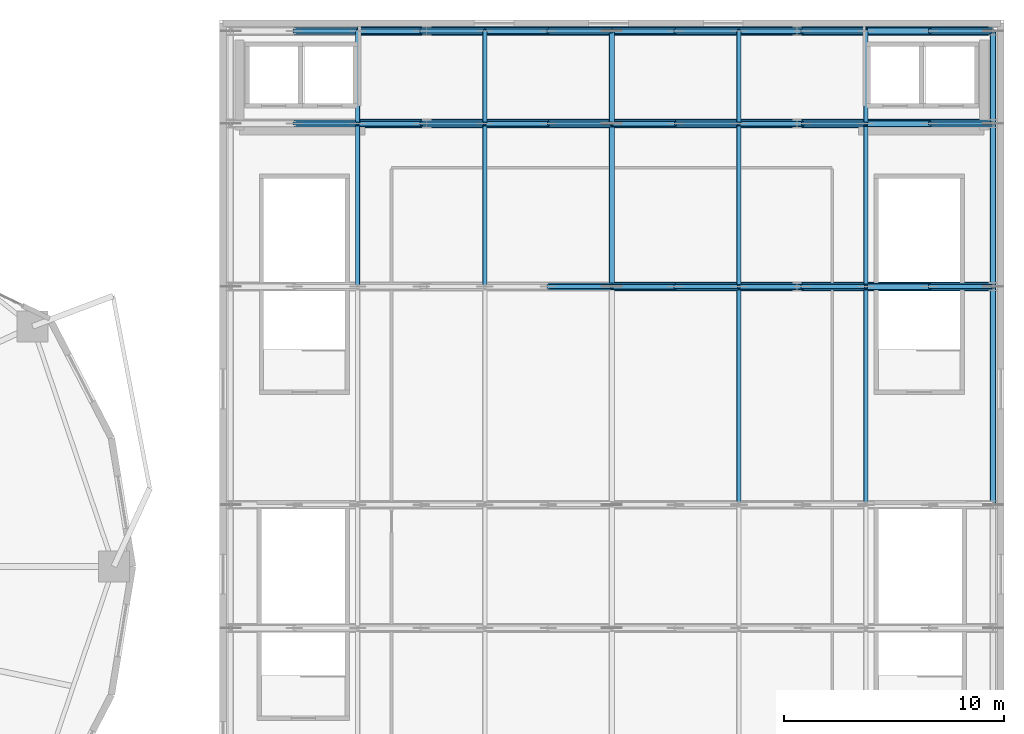
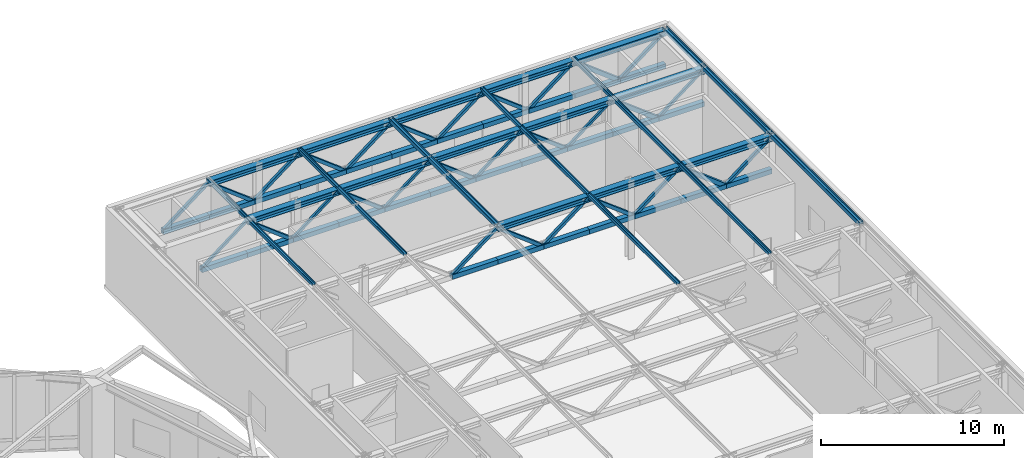
# One storey, part 13 of 29: 86 members.
"""IFC4 building model written with IfcOpenShell, lengths in metres."""

from ifc_helpers import new_model, si_unit, direction, frame, origin, origin_2d, place, context, subcontext, project, spatial, hollow_rectangle, i_section, extrude, material, material_profile, profile_set, type_object, element, save


model = new_model("IFC4")

# Units and contexts
model_context = context("Model", 3, precision=1e-05, world=origin(), true_north=direction((0.0, 1.0)))
body_context = subcontext(model_context, "Body", "Model", "MODEL_VIEW")
ifc_project = project(units=[si_unit("LENGTHUNIT", "METRE"), si_unit("AREAUNIT", "SQUARE_METRE"), si_unit("VOLUMEUNIT", "CUBIC_METRE"), si_unit("PLANEANGLEUNIT", "RADIAN"), si_unit("MASSUNIT", "GRAM", prefix="KILO")], contexts=[model_context])

# Site, building, storey
site_placement = place(None, origin())
site = spatial("IfcSite", under=ifc_project, at=site_placement, CompositionType="ELEMENT")
building_placement = place(site_placement, origin())
building = spatial("IfcBuilding", under=site, at=building_placement, Name="Kolvaren Gate Tower and Convention Centre", CompositionType="ELEMENT")
storey_placement = place(building_placement, frame((0.0, 0.0, 21.0)))
storey = spatial("IfcBuildingStorey", under=building, at=storey_placement, Name="L04", CompositionType="ELEMENT", Elevation=21.0)

# Members
ifc_material_1 = material(Name="Structural steel ASTM A500 Grade C 345 MPa", Category="steel")
ifc_material_profile_1 = material_profile(ifc_material_1, hollow_rectangle(XDim=0.202880859375, YDim=0.202880859375, WallThickness=0.0126953125, at=origin_2d()), Name="HSS203X203X12.7")
ifc_profile_set_1 = profile_set([ifc_material_profile_1], Name="Structural steel ASTM A500 Grade C 345 MPa")
member_type_1 = type_object("IfcMemberType", Name="STR-BR-HSS203X203", PredefinedType="BRACE", material=ifc_profile_set_1)
for number, where, z_axis, x_axis, name in (
    (1, (80.0, 39.699951171875, 4.919921875), (0.79235205207, 0.0, -0.610064115959), (0.0, 1.0, 0.0), "Convention Roof Truss TR-06 Web Diagonal 4A"),
    (2, (85.7666015625, 39.699951171875, 4.919921875), (0.79235205207, 0.0, -0.610064115959), (0.0, 1.0, 0.0), "Convention Roof Truss TR-06 Web Diagonal 5A"),
    (3, (68.466796875, 47.10009765625, 4.919921875), (0.79235205207, 0.0, -0.610064115959), (0.0, 1.0, 0.0), "Convention Roof Truss TR-07 Web Diagonal 2A"),
    (4, (74.2333984375, 47.10009765625, 4.919921875), (0.79235205207, 0.0, -0.610064115959), (0.0, 1.0, 0.0), "Convention Roof Truss TR-07 Web Diagonal 3A"),
    (5, (80.0, 47.10009765625, 4.919921875), (0.79235205207, 0.0, -0.610064115959), (0.0, 1.0, 0.0), "Convention Roof Truss TR-07 Web Diagonal 4A"),
    (6, (85.7666015625, 47.10009765625, 4.919921875), (0.79235205207, 0.0, -0.610064115959), (0.0, 1.0, 0.0), "Convention Roof Truss TR-07 Web Diagonal 5A"),
    (7, (68.466796875, 51.300048828125, 4.919921875), (0.79235205207, 0.0, -0.610064115959), (0.0, 1.0, 0.0), "Convention Roof Truss TR-08 Web Diagonal 2A"),
    (8, (74.2333984375, 51.300048828125, 4.919921875), (0.79235205207, 0.0, -0.610064115959), (0.0, 1.0, 0.0), "Convention Roof Truss TR-08 Web Diagonal 3A"),
    (9, (80.0, 51.300048828125, 4.919921875), (0.79235205207, 0.0, -0.610064115959), (0.0, 1.0, 0.0), "Convention Roof Truss TR-08 Web Diagonal 4A"),
    (10, (85.7666015625, 51.300048828125, 4.919921875), (0.79235205207, 0.0, -0.610064115959), (0.0, 1.0, 0.0), "Convention Roof Truss TR-08 Web Diagonal 5A"),
):
    element("IfcMember", number, at=place(storey_placement, frame(where, z_axis=z_axis, x_axis=x_axis)), inside=storey, type_object=member_type_1, Name=name, PredefinedType="BRACE", context=body_context, shape_type="SweptSolid", body=[
        extrude(hollow_rectangle(XDim=0.202880859375, YDim=0.202880859375, WallThickness=0.0126953125, at=origin_2d()), origin(), (0.0, 0.0, 1.0), 3.638916015625),
    ])
ifc_material_profile_2 = material_profile(ifc_material_1, hollow_rectangle(XDim=0.25390625, YDim=0.25390625, WallThickness=0.015869140625, at=origin_2d()), Name="HSS254X254X15.9")
ifc_profile_set_2 = profile_set([ifc_material_profile_2], Name="Structural steel ASTM A500 Grade C 345 MPa")
member_type_2 = type_object("IfcMemberType", Name="STR-BR-HSS254X254", PredefinedType="BRACE", material=ifc_profile_set_2)
for number, where, z_axis, x_axis, name in (
    (11, (91.533203125, 39.699951171875, 4.919921875), (0.79237702012, 0.0, -0.610031686051), (0.0, 1.0, 0.0), "Convention Roof Truss TR-06 Web Diagonal 6A"),
    (12, (91.533203125, 47.10009765625, 4.919921875), (0.79237702012, 0.0, -0.610031686051), (0.0, 1.0, 0.0), "Convention Roof Truss TR-07 Web Diagonal 6A"),
    (13, (91.533203125, 51.300048828125, 4.919921875), (0.79237702012, 0.0, -0.610031686051), (0.0, 1.0, 0.0), "Convention Roof Truss TR-08 Web Diagonal 6A"),
):
    element("IfcMember", number, at=place(storey_placement, frame(where, z_axis=z_axis, x_axis=x_axis)), inside=storey, type_object=member_type_2, Name=name, PredefinedType="BRACE", context=body_context, shape_type="SweptSolid", body=[
        extrude(hollow_rectangle(XDim=0.25390625, YDim=0.25390625, WallThickness=0.015869140625, at=origin_2d()), origin(), (0.0, 0.0, 1.0), 3.63916015625),
    ])
ifc_material_profile_3 = material_profile(ifc_material_1, hollow_rectangle(XDim=0.304931640625, YDim=0.304931640625, WallThickness=0.015869140625, at=origin_2d()), Name="HSS305X305X15.9")
ifc_profile_set_3 = profile_set([ifc_material_profile_3], Name="Structural steel ASTM A500 Grade C 345 MPa")
member_type_3 = type_object("IfcMemberType", Name="STR-CH-HSS305X305", PredefinedType="CHORD", material=ifc_profile_set_3)
for number, where, z_axis, x_axis, name in (
    (14, (77.11669921875, 39.699951171875, 2.699951171875), (1.0, 0.0, 0.0), (0.0, 1.0, 0.0), "Convention Roof Truss TR-06 Bottom Chord 3B"),
    (15, (80.0, 39.699951171875, 2.699951171875), (1.0, 0.0, 0.0), (0.0, 1.0, 0.0), "Convention Roof Truss TR-06 Bottom Chord 4A"),
    (16, (82.88330078125, 39.699951171875, 2.699951171875), (1.0, 0.0, 0.0), (0.0, 1.0, 0.0), "Convention Roof Truss TR-06 Bottom Chord 4B"),
    (17, (85.7666015625, 39.699951171875, 2.699951171875), (1.0, 0.0, 0.0), (0.0, 1.0, 0.0), "Convention Roof Truss TR-06 Bottom Chord 5A"),
    (18, (88.64990234375, 39.699951171875, 2.699951171875), (1.0, 0.0, 0.0), (0.0, 1.0, 0.0), "Convention Roof Truss TR-06 Bottom Chord 5B"),
):
    element("IfcMember", number, at=place(storey_placement, frame(where, z_axis=z_axis, x_axis=x_axis)), inside=storey, type_object=member_type_3, Name=name, PredefinedType="CHORD", context=body_context, shape_type="SweptSolid", body=[
        extrude(hollow_rectangle(XDim=0.304931640625, YDim=0.304931640625, WallThickness=0.015869140625, at=origin_2d()), origin(), (0.0, 0.0, 1.0), 2.88330078125),
    ])
member_1_placement = place(storey_placement, frame((91.533203125, 39.699951171875, 2.699951171875), z_axis=(1.0, 0.0, 0.0), x_axis=(0.0, 1.0, 0.0)))
element("IfcMember", 19, at=member_1_placement, inside=storey, type_object=member_type_3, Name="Convention Roof Truss TR-06 Bottom Chord 6A", PredefinedType="CHORD", context=body_context, shape_type="SweptSolid", body=[
    extrude(hollow_rectangle(XDim=0.304931640625, YDim=0.304931640625, WallThickness=0.015869140625, at=origin_2d()), origin(), (0.0, 0.0, 1.0), 2.883544921875),
])
member_2_placement = place(storey_placement, frame((94.416748046875, 39.699951171875, 2.699951171875), z_axis=(1.0, 0.0, 0.0), x_axis=(0.0, 1.0, 0.0)))
element("IfcMember", 20, at=member_2_placement, inside=storey, type_object=member_type_3, Name="Convention Roof Truss TR-06 Bottom Chord 6B", PredefinedType="CHORD", context=body_context, shape_type="SweptSolid", body=[
    extrude(hollow_rectangle(XDim=0.304931640625, YDim=0.304931640625, WallThickness=0.015869140625, at=origin_2d()), origin(), (0.0, 0.0, 1.0), 2.88330078125),
])
member_3_placement = place(storey_placement, frame((65.583251953125, 47.10009765625, 2.699951171875), z_axis=(1.0, 0.0, 0.0), x_axis=(0.0, 1.0, 0.0)))
element("IfcMember", 21, at=member_3_placement, inside=storey, type_object=member_type_3, Name="Convention Roof Truss TR-07 Bottom Chord 1B", PredefinedType="CHORD", context=body_context, shape_type="SweptSolid", body=[
    extrude(hollow_rectangle(XDim=0.304931640625, YDim=0.304931640625, WallThickness=0.015869140625, at=origin_2d()), origin(), (0.0, 0.0, 1.0), 2.883544921875),
])
for number, where, z_axis, x_axis, name in (
    (22, (68.466796875, 47.10009765625, 2.699951171875), (1.0, 0.0, 0.0), (0.0, 1.0, 0.0), "Convention Roof Truss TR-07 Bottom Chord 2A"),
    (23, (71.35009765625, 47.10009765625, 2.699951171875), (1.0, 0.0, 0.0), (0.0, 1.0, 0.0), "Convention Roof Truss TR-07 Bottom Chord 2B"),
    (24, (74.2333984375, 47.10009765625, 2.699951171875), (1.0, 0.0, 0.0), (0.0, 1.0, 0.0), "Convention Roof Truss TR-07 Bottom Chord 3A"),
    (25, (77.11669921875, 47.10009765625, 2.699951171875), (1.0, 0.0, 0.0), (0.0, 1.0, 0.0), "Convention Roof Truss TR-07 Bottom Chord 3B"),
    (26, (80.0, 47.10009765625, 2.699951171875), (1.0, 0.0, 0.0), (0.0, 1.0, 0.0), "Convention Roof Truss TR-07 Bottom Chord 4A"),
    (27, (82.88330078125, 47.10009765625, 2.699951171875), (1.0, 0.0, 0.0), (0.0, 1.0, 0.0), "Convention Roof Truss TR-07 Bottom Chord 4B"),
    (28, (85.7666015625, 47.10009765625, 2.699951171875), (1.0, 0.0, 0.0), (0.0, 1.0, 0.0), "Convention Roof Truss TR-07 Bottom Chord 5A"),
    (29, (88.64990234375, 47.10009765625, 2.699951171875), (1.0, 0.0, 0.0), (0.0, 1.0, 0.0), "Convention Roof Truss TR-07 Bottom Chord 5B"),
):
    element("IfcMember", number, at=place(storey_placement, frame(where, z_axis=z_axis, x_axis=x_axis)), inside=storey, type_object=member_type_3, Name=name, PredefinedType="CHORD", context=body_context, shape_type="SweptSolid", body=[
        extrude(hollow_rectangle(XDim=0.304931640625, YDim=0.304931640625, WallThickness=0.015869140625, at=origin_2d()), origin(), (0.0, 0.0, 1.0), 2.88330078125),
    ])
member_4_placement = place(storey_placement, frame((91.533203125, 47.10009765625, 2.699951171875), z_axis=(1.0, 0.0, 0.0), x_axis=(0.0, 1.0, 0.0)))
element("IfcMember", 30, at=member_4_placement, inside=storey, type_object=member_type_3, Name="Convention Roof Truss TR-07 Bottom Chord 6A", PredefinedType="CHORD", context=body_context, shape_type="SweptSolid", body=[
    extrude(hollow_rectangle(XDim=0.304931640625, YDim=0.304931640625, WallThickness=0.015869140625, at=origin_2d()), origin(), (0.0, 0.0, 1.0), 2.883544921875),
])
member_5_placement = place(storey_placement, frame((94.416748046875, 47.10009765625, 2.699951171875), z_axis=(1.0, 0.0, 0.0), x_axis=(0.0, 1.0, 0.0)))
element("IfcMember", 31, at=member_5_placement, inside=storey, type_object=member_type_3, Name="Convention Roof Truss TR-07 Bottom Chord 6B", PredefinedType="CHORD", context=body_context, shape_type="SweptSolid", body=[
    extrude(hollow_rectangle(XDim=0.304931640625, YDim=0.304931640625, WallThickness=0.015869140625, at=origin_2d()), origin(), (0.0, 0.0, 1.0), 2.88330078125),
])
member_6_placement = place(storey_placement, frame((65.583251953125, 51.300048828125, 2.699951171875), z_axis=(1.0, 0.0, 0.0), x_axis=(0.0, 1.0, 0.0)))
element("IfcMember", 32, at=member_6_placement, inside=storey, type_object=member_type_3, Name="Convention Roof Truss TR-08 Bottom Chord 1B", PredefinedType="CHORD", context=body_context, shape_type="SweptSolid", body=[
    extrude(hollow_rectangle(XDim=0.304931640625, YDim=0.304931640625, WallThickness=0.015869140625, at=origin_2d()), origin(), (0.0, 0.0, 1.0), 2.883544921875),
])
for number, where, z_axis, x_axis, name in (
    (33, (68.466796875, 51.300048828125, 2.699951171875), (1.0, 0.0, 0.0), (0.0, 1.0, 0.0), "Convention Roof Truss TR-08 Bottom Chord 2A"),
    (34, (71.35009765625, 51.300048828125, 2.699951171875), (1.0, 0.0, 0.0), (0.0, 1.0, 0.0), "Convention Roof Truss TR-08 Bottom Chord 2B"),
    (35, (74.2333984375, 51.300048828125, 2.699951171875), (1.0, 0.0, 0.0), (0.0, 1.0, 0.0), "Convention Roof Truss TR-08 Bottom Chord 3A"),
    (36, (77.11669921875, 51.300048828125, 2.699951171875), (1.0, 0.0, 0.0), (0.0, 1.0, 0.0), "Convention Roof Truss TR-08 Bottom Chord 3B"),
    (37, (80.0, 51.300048828125, 2.699951171875), (1.0, 0.0, 0.0), (0.0, 1.0, 0.0), "Convention Roof Truss TR-08 Bottom Chord 4A"),
    (38, (82.88330078125, 51.300048828125, 2.699951171875), (1.0, 0.0, 0.0), (0.0, 1.0, 0.0), "Convention Roof Truss TR-08 Bottom Chord 4B"),
    (39, (85.7666015625, 51.300048828125, 2.699951171875), (1.0, 0.0, 0.0), (0.0, 1.0, 0.0), "Convention Roof Truss TR-08 Bottom Chord 5A"),
    (40, (88.64990234375, 51.300048828125, 2.699951171875), (1.0, 0.0, 0.0), (0.0, 1.0, 0.0), "Convention Roof Truss TR-08 Bottom Chord 5B"),
):
    element("IfcMember", number, at=place(storey_placement, frame(where, z_axis=z_axis, x_axis=x_axis)), inside=storey, type_object=member_type_3, Name=name, PredefinedType="CHORD", context=body_context, shape_type="SweptSolid", body=[
        extrude(hollow_rectangle(XDim=0.304931640625, YDim=0.304931640625, WallThickness=0.015869140625, at=origin_2d()), origin(), (0.0, 0.0, 1.0), 2.88330078125),
    ])
member_7_placement = place(storey_placement, frame((91.533203125, 51.300048828125, 2.699951171875), z_axis=(1.0, 0.0, 0.0), x_axis=(0.0, 1.0, 0.0)))
element("IfcMember", 41, at=member_7_placement, inside=storey, type_object=member_type_3, Name="Convention Roof Truss TR-08 Bottom Chord 6A", PredefinedType="CHORD", context=body_context, shape_type="SweptSolid", body=[
    extrude(hollow_rectangle(XDim=0.304931640625, YDim=0.304931640625, WallThickness=0.015869140625, at=origin_2d()), origin(), (0.0, 0.0, 1.0), 2.883544921875),
])
member_8_placement = place(storey_placement, frame((94.416748046875, 51.300048828125, 2.699951171875), z_axis=(1.0, 0.0, 0.0), x_axis=(0.0, 1.0, 0.0)))
element("IfcMember", 42, at=member_8_placement, inside=storey, type_object=member_type_3, Name="Convention Roof Truss TR-08 Bottom Chord 6B", PredefinedType="CHORD", context=body_context, shape_type="SweptSolid", body=[
    extrude(hollow_rectangle(XDim=0.304931640625, YDim=0.304931640625, WallThickness=0.015869140625, at=origin_2d()), origin(), (0.0, 0.0, 1.0), 2.88330078125),
])
ifc_material_2 = material(Name="Structural steel ASTM A992 Grade 345 MPa", Category="steel")
ifc_material_profile_4 = material_profile(ifc_material_2, i_section(OverallWidth=0.39501953125, OverallDepth=0.3798828125, WebThickness=0.018798828125, FlangeThickness=0.0302734375, at=origin_2d()), Name="W360X237")
ifc_profile_set_4 = profile_set([ifc_material_profile_4], Name="Structural steel ASTM A992 Grade 345 MPa")
member_type_4 = type_object("IfcMemberType", Name="STR-CH-W360X237", PredefinedType="CHORD", material=ifc_profile_set_4)
for number, where, z_axis, x_axis, name in (
    (43, (80.0, 39.699951171875, 4.919921875), (1.0, 0.0, 0.0), (0.0, 1.0, 0.0), "Convention Roof Truss TR-06 Top Chord 4"),
    (44, (85.7666015625, 39.699951171875, 4.919921875), (1.0, 0.0, 0.0), (0.0, 1.0, 0.0), "Convention Roof Truss TR-06 Top Chord 5"),
):
    element("IfcMember", number, at=place(storey_placement, frame(where, z_axis=z_axis, x_axis=x_axis)), inside=storey, type_object=member_type_4, Name=name, PredefinedType="CHORD", context=body_context, shape_type="SweptSolid", body=[
        extrude(i_section(OverallWidth=0.39501953125, OverallDepth=0.3798828125, WebThickness=0.018798828125, FlangeThickness=0.0302734375, at=origin_2d()), origin(), (0.0, 0.0, 1.0), 5.7666015625),
    ])
member_9_placement = place(storey_placement, frame((91.533203125, 39.699951171875, 4.919921875), z_axis=(1.0, 0.0, 0.0), x_axis=(0.0, 1.0, 0.0)))
element("IfcMember", 45, at=member_9_placement, inside=storey, type_object=member_type_4, Name="Convention Roof Truss TR-06 Top Chord 6", PredefinedType="CHORD", context=body_context, shape_type="SweptSolid", body=[
    extrude(i_section(OverallWidth=0.39501953125, OverallDepth=0.3798828125, WebThickness=0.018798828125, FlangeThickness=0.0302734375, at=origin_2d()), origin(), (0.0, 0.0, 1.0), 5.766845703125),
])
for number, where, z_axis, x_axis, name in (
    (46, (68.466796875, 47.10009765625, 4.919921875), (1.0, 0.0, 0.0), (0.0, 1.0, 0.0), "Convention Roof Truss TR-07 Top Chord 2"),
    (47, (74.2333984375, 47.10009765625, 4.919921875), (1.0, 0.0, 0.0), (0.0, 1.0, 0.0), "Convention Roof Truss TR-07 Top Chord 3"),
    (48, (80.0, 47.10009765625, 4.919921875), (1.0, 0.0, 0.0), (0.0, 1.0, 0.0), "Convention Roof Truss TR-07 Top Chord 4"),
    (49, (85.7666015625, 47.10009765625, 4.919921875), (1.0, 0.0, 0.0), (0.0, 1.0, 0.0), "Convention Roof Truss TR-07 Top Chord 5"),
):
    element("IfcMember", number, at=place(storey_placement, frame(where, z_axis=z_axis, x_axis=x_axis)), inside=storey, type_object=member_type_4, Name=name, PredefinedType="CHORD", context=body_context, shape_type="SweptSolid", body=[
        extrude(i_section(OverallWidth=0.39501953125, OverallDepth=0.3798828125, WebThickness=0.018798828125, FlangeThickness=0.0302734375, at=origin_2d()), origin(), (0.0, 0.0, 1.0), 5.7666015625),
    ])
member_10_placement = place(storey_placement, frame((91.533203125, 47.10009765625, 4.919921875), z_axis=(1.0, 0.0, 0.0), x_axis=(0.0, 1.0, 0.0)))
element("IfcMember", 50, at=member_10_placement, inside=storey, type_object=member_type_4, Name="Convention Roof Truss TR-07 Top Chord 6", PredefinedType="CHORD", context=body_context, shape_type="SweptSolid", body=[
    extrude(i_section(OverallWidth=0.39501953125, OverallDepth=0.3798828125, WebThickness=0.018798828125, FlangeThickness=0.0302734375, at=origin_2d()), origin(), (0.0, 0.0, 1.0), 5.766845703125),
])
for number, where, z_axis, x_axis, name in (
    (51, (68.466796875, 51.300048828125, 4.919921875), (1.0, 0.0, 0.0), (0.0, 1.0, 0.0), "Convention Roof Truss TR-08 Top Chord 2"),
    (52, (74.2333984375, 51.300048828125, 4.919921875), (1.0, 0.0, 0.0), (0.0, 1.0, 0.0), "Convention Roof Truss TR-08 Top Chord 3"),
    (53, (80.0, 51.300048828125, 4.919921875), (1.0, 0.0, 0.0), (0.0, 1.0, 0.0), "Convention Roof Truss TR-08 Top Chord 4"),
    (54, (85.7666015625, 51.300048828125, 4.919921875), (1.0, 0.0, 0.0), (0.0, 1.0, 0.0), "Convention Roof Truss TR-08 Top Chord 5"),
):
    element("IfcMember", number, at=place(storey_placement, frame(where, z_axis=z_axis, x_axis=x_axis)), inside=storey, type_object=member_type_4, Name=name, PredefinedType="CHORD", context=body_context, shape_type="SweptSolid", body=[
        extrude(i_section(OverallWidth=0.39501953125, OverallDepth=0.3798828125, WebThickness=0.018798828125, FlangeThickness=0.0302734375, at=origin_2d()), origin(), (0.0, 0.0, 1.0), 5.7666015625),
    ])
member_11_placement = place(storey_placement, frame((91.533203125, 51.300048828125, 4.919921875), z_axis=(1.0, 0.0, 0.0), x_axis=(0.0, 1.0, 0.0)))
element("IfcMember", 55, at=member_11_placement, inside=storey, type_object=member_type_4, Name="Convention Roof Truss TR-08 Top Chord 6", PredefinedType="CHORD", context=body_context, shape_type="SweptSolid", body=[
    extrude(i_section(OverallWidth=0.39501953125, OverallDepth=0.3798828125, WebThickness=0.018798828125, FlangeThickness=0.0302734375, at=origin_2d()), origin(), (0.0, 0.0, 1.0), 5.766845703125),
])
ifc_material_profile_5 = material_profile(ifc_material_2, i_section(OverallWidth=0.202880859375, OverallDepth=0.202880859375, WebThickness=0.007080078125, FlangeThickness=0.010986328125, at=origin_2d()), Name="W200X46")
ifc_profile_set_5 = profile_set([ifc_material_profile_5], Name="Structural steel ASTM A992 Grade 345 MPa")
member_type_5 = type_object("IfcMemberType", Name="STR-PR-W200X46", PredefinedType="PURLIN", material=ifc_profile_set_5)
member_12_placement = place(storey_placement, frame((68.466796875, 39.699951171875, 5.1484375), z_axis=(0.0, 1.0, 0.0), x_axis=(0.0, 0.0, 1.0)))
element("IfcMember", 56, at=member_12_placement, inside=storey, type_object=member_type_5, Name="Convention Roof Purlin PR-2.6", PredefinedType="PURLIN", context=body_context, shape_type="SweptSolid", body=[
    extrude(i_section(OverallWidth=0.202880859375, OverallDepth=0.202880859375, WebThickness=0.007080078125, FlangeThickness=0.010986328125, at=origin_2d()), origin(), (0.0, 0.0, 1.0), 7.400146484375),
])
member_13_placement = place(storey_placement, frame((68.466796875, 47.10009765625, 5.1484375), z_axis=(0.0, 1.0, 0.0), x_axis=(0.0, 0.0, 1.0)))
element("IfcMember", 57, at=member_13_placement, inside=storey, type_object=member_type_5, Name="Convention Roof Purlin PR-2.7", PredefinedType="PURLIN", context=body_context, shape_type="SweptSolid", body=[
    extrude(i_section(OverallWidth=0.202880859375, OverallDepth=0.202880859375, WebThickness=0.007080078125, FlangeThickness=0.010986328125, at=origin_2d()), origin(), (0.0, 0.0, 1.0), 4.199951171875),
])
member_14_placement = place(storey_placement, frame((74.2333984375, 39.699951171875, 5.1484375), z_axis=(0.0, 1.0, 0.0), x_axis=(0.0, 0.0, 1.0)))
element("IfcMember", 58, at=member_14_placement, inside=storey, type_object=member_type_5, Name="Convention Roof Purlin PR-3.6", PredefinedType="PURLIN", context=body_context, shape_type="SweptSolid", body=[
    extrude(i_section(OverallWidth=0.202880859375, OverallDepth=0.202880859375, WebThickness=0.007080078125, FlangeThickness=0.010986328125, at=origin_2d()), origin(), (0.0, 0.0, 1.0), 7.400146484375),
])
member_15_placement = place(storey_placement, frame((74.2333984375, 47.10009765625, 5.1484375), z_axis=(0.0, 1.0, 0.0), x_axis=(0.0, 0.0, 1.0)))
element("IfcMember", 59, at=member_15_placement, inside=storey, type_object=member_type_5, Name="Convention Roof Purlin PR-3.7", PredefinedType="PURLIN", context=body_context, shape_type="SweptSolid", body=[
    extrude(i_section(OverallWidth=0.202880859375, OverallDepth=0.202880859375, WebThickness=0.007080078125, FlangeThickness=0.010986328125, at=origin_2d()), origin(), (0.0, 0.0, 1.0), 4.199951171875),
])
member_16_placement = place(storey_placement, frame((85.7666015625, 29.800048828125, 5.1484375), z_axis=(0.0, 1.0, 0.0), x_axis=(0.0, 0.0, 1.0)))
element("IfcMember", 60, at=member_16_placement, inside=storey, type_object=member_type_5, Name="Convention Roof Purlin PR-5.5", PredefinedType="PURLIN", context=body_context, shape_type="SweptSolid", body=[
    extrude(i_section(OverallWidth=0.202880859375, OverallDepth=0.202880859375, WebThickness=0.007080078125, FlangeThickness=0.010986328125, at=origin_2d()), origin(), (0.0, 0.0, 1.0), 9.89990234375),
])
member_17_placement = place(storey_placement, frame((85.7666015625, 39.699951171875, 5.1484375), z_axis=(0.0, 1.0, 0.0), x_axis=(0.0, 0.0, 1.0)))
element("IfcMember", 61, at=member_17_placement, inside=storey, type_object=member_type_5, Name="Convention Roof Purlin PR-5.6", PredefinedType="PURLIN", context=body_context, shape_type="SweptSolid", body=[
    extrude(i_section(OverallWidth=0.202880859375, OverallDepth=0.202880859375, WebThickness=0.007080078125, FlangeThickness=0.010986328125, at=origin_2d()), origin(), (0.0, 0.0, 1.0), 7.400146484375),
])
member_18_placement = place(storey_placement, frame((85.7666015625, 47.10009765625, 5.1484375), z_axis=(0.0, 1.0, 0.0), x_axis=(0.0, 0.0, 1.0)))
element("IfcMember", 62, at=member_18_placement, inside=storey, type_object=member_type_5, Name="Convention Roof Purlin PR-5.7", PredefinedType="PURLIN", context=body_context, shape_type="SweptSolid", body=[
    extrude(i_section(OverallWidth=0.202880859375, OverallDepth=0.202880859375, WebThickness=0.007080078125, FlangeThickness=0.010986328125, at=origin_2d()), origin(), (0.0, 0.0, 1.0), 4.199951171875),
])
member_19_placement = place(storey_placement, frame((91.533203125, 29.800048828125, 5.1484375), z_axis=(0.0, 1.0, 0.0), x_axis=(0.0, 0.0, 1.0)))
element("IfcMember", 63, at=member_19_placement, inside=storey, type_object=member_type_5, Name="Convention Roof Purlin PR-6.5", PredefinedType="PURLIN", context=body_context, shape_type="SweptSolid", body=[
    extrude(i_section(OverallWidth=0.202880859375, OverallDepth=0.202880859375, WebThickness=0.007080078125, FlangeThickness=0.010986328125, at=origin_2d()), origin(), (0.0, 0.0, 1.0), 9.89990234375),
])
member_20_placement = place(storey_placement, frame((91.533203125, 39.699951171875, 5.1484375), z_axis=(0.0, 1.0, 0.0), x_axis=(0.0, 0.0, 1.0)))
element("IfcMember", 64, at=member_20_placement, inside=storey, type_object=member_type_5, Name="Convention Roof Purlin PR-6.6", PredefinedType="PURLIN", context=body_context, shape_type="SweptSolid", body=[
    extrude(i_section(OverallWidth=0.202880859375, OverallDepth=0.202880859375, WebThickness=0.007080078125, FlangeThickness=0.010986328125, at=origin_2d()), origin(), (0.0, 0.0, 1.0), 7.400146484375),
])
member_21_placement = place(storey_placement, frame((91.533203125, 47.10009765625, 5.1484375), z_axis=(0.0, 1.0, 0.0), x_axis=(0.0, 0.0, 1.0)))
element("IfcMember", 65, at=member_21_placement, inside=storey, type_object=member_type_5, Name="Convention Roof Purlin PR-6.7", PredefinedType="PURLIN", context=body_context, shape_type="SweptSolid", body=[
    extrude(i_section(OverallWidth=0.202880859375, OverallDepth=0.202880859375, WebThickness=0.007080078125, FlangeThickness=0.010986328125, at=origin_2d()), origin(), (0.0, 0.0, 1.0), 4.199951171875),
])
ifc_material_profile_6 = material_profile(ifc_material_2, i_section(OverallWidth=0.256103515625, OverallDepth=0.260009765625, WebThickness=0.0107421875, FlangeThickness=0.017333984375, at=origin_2d()), Name="W250X89")
ifc_profile_set_6 = profile_set([ifc_material_profile_6], Name="Structural steel ASTM A992 Grade 345 MPa")
member_type_6 = type_object("IfcMemberType", Name="STR-PR-W250X89", PredefinedType="PURLIN", material=ifc_profile_set_6)
member_22_placement = place(storey_placement, frame((80.0, 39.699951171875, 5.1201171875), z_axis=(0.0, 1.0, 0.0), x_axis=(0.0, 0.0, 1.0)))
element("IfcMember", 66, at=member_22_placement, inside=storey, type_object=member_type_6, Name="Convention Roof Purlin PR-4.6", PredefinedType="PURLIN", context=body_context, shape_type="SweptSolid", body=[
    extrude(i_section(OverallWidth=0.256103515625, OverallDepth=0.260009765625, WebThickness=0.0107421875, FlangeThickness=0.017333984375, at=origin_2d()), origin(), (0.0, 0.0, 1.0), 7.400146484375),
])
member_23_placement = place(storey_placement, frame((80.0, 47.10009765625, 5.1201171875), z_axis=(0.0, 1.0, 0.0), x_axis=(0.0, 0.0, 1.0)))
element("IfcMember", 67, at=member_23_placement, inside=storey, type_object=member_type_6, Name="Convention Roof Purlin PR-4.7", PredefinedType="PURLIN", context=body_context, shape_type="SweptSolid", body=[
    extrude(i_section(OverallWidth=0.256103515625, OverallDepth=0.260009765625, WebThickness=0.0107421875, FlangeThickness=0.017333984375, at=origin_2d()), origin(), (0.0, 0.0, 1.0), 4.199951171875),
])
member_24_placement = place(storey_placement, frame((97.300048828125, 29.800048828125, 5.1201171875), z_axis=(0.0, 1.0, 0.0), x_axis=(0.0, 0.0, 1.0)))
element("IfcMember", 68, at=member_24_placement, inside=storey, type_object=member_type_6, Name="Convention Roof Purlin PR-7.5", PredefinedType="PURLIN", context=body_context, shape_type="SweptSolid", body=[
    extrude(i_section(OverallWidth=0.256103515625, OverallDepth=0.260009765625, WebThickness=0.0107421875, FlangeThickness=0.017333984375, at=origin_2d()), origin(), (0.0, 0.0, 1.0), 9.89990234375),
])
member_25_placement = place(storey_placement, frame((97.300048828125, 39.699951171875, 5.1201171875), z_axis=(0.0, 1.0, 0.0), x_axis=(0.0, 0.0, 1.0)))
element("IfcMember", 69, at=member_25_placement, inside=storey, type_object=member_type_6, Name="Convention Roof Purlin PR-7.6", PredefinedType="PURLIN", context=body_context, shape_type="SweptSolid", body=[
    extrude(i_section(OverallWidth=0.256103515625, OverallDepth=0.260009765625, WebThickness=0.0107421875, FlangeThickness=0.017333984375, at=origin_2d()), origin(), (0.0, 0.0, 1.0), 7.400146484375),
])
member_26_placement = place(storey_placement, frame((97.300048828125, 47.10009765625, 5.1201171875), z_axis=(0.0, 1.0, 0.0), x_axis=(0.0, 0.0, 1.0)))
element("IfcMember", 70, at=member_26_placement, inside=storey, type_object=member_type_6, Name="Convention Roof Purlin PR-7.7", PredefinedType="PURLIN", context=body_context, shape_type="SweptSolid", body=[
    extrude(i_section(OverallWidth=0.256103515625, OverallDepth=0.260009765625, WebThickness=0.0107421875, FlangeThickness=0.017333984375, at=origin_2d()), origin(), (0.0, 0.0, 1.0), 4.199951171875),
])
ifc_material_profile_7 = material_profile(ifc_material_1, hollow_rectangle(XDim=0.152099609375, YDim=0.152099609375, WallThickness=0.009521484375, at=origin_2d()), Name="HSS152X152X9.5")
ifc_profile_set_7 = profile_set([ifc_material_profile_7], Name="Structural steel ASTM A500 Grade C 345 MPa")
member_type_7 = type_object("IfcMemberType", Name="STR-ST-HSS152X152", PredefinedType="STRUT", material=ifc_profile_set_7)
member_27_placement = place(storey_placement, frame((65.583251953125, 47.10009765625, 2.699951171875), z_axis=(0.79237702012, 0.0, 0.610031686051), x_axis=(0.0, 1.0, 0.0)))
element("IfcMember", 71, at=member_27_placement, inside=storey, type_object=member_type_7, Name="Convention Roof Truss TR-07 Web Strut 1B", PredefinedType="STRUT", context=body_context, shape_type="SweptSolid", body=[
    extrude(hollow_rectangle(XDim=0.152099609375, YDim=0.152099609375, WallThickness=0.009521484375, at=origin_2d()), origin(), (0.0, 0.0, 1.0), 3.63916015625),
])
for number, where, z_axis, x_axis, name in (
    (72, (71.35009765625, 47.10009765625, 2.699951171875), (0.79235205207, 0.0, 0.610064115959), (0.0, 1.0, 0.0), "Convention Roof Truss TR-07 Web Strut 2B"),
    (73, (77.11669921875, 47.10009765625, 2.699951171875), (0.79235205207, 0.0, 0.610064115959), (0.0, 1.0, 0.0), "Convention Roof Truss TR-07 Web Strut 3B"),
    (74, (82.88330078125, 47.10009765625, 2.699951171875), (0.79235205207, 0.0, 0.610064115959), (0.0, 1.0, 0.0), "Convention Roof Truss TR-07 Web Strut 4B"),
    (75, (88.64990234375, 47.10009765625, 2.699951171875), (0.79235205207, 0.0, 0.610064115959), (0.0, 1.0, 0.0), "Convention Roof Truss TR-07 Web Strut 5B"),
    (76, (94.416748046875, 47.10009765625, 2.699951171875), (0.79235205207, 0.0, 0.610064115959), (0.0, 1.0, 0.0), "Convention Roof Truss TR-07 Web Strut 6B"),
):
    element("IfcMember", number, at=place(storey_placement, frame(where, z_axis=z_axis, x_axis=x_axis)), inside=storey, type_object=member_type_7, Name=name, PredefinedType="STRUT", context=body_context, shape_type="SweptSolid", body=[
        extrude(hollow_rectangle(XDim=0.152099609375, YDim=0.152099609375, WallThickness=0.009521484375, at=origin_2d()), origin(), (0.0, 0.0, 1.0), 3.638916015625),
    ])
ifc_material_profile_8 = material_profile(ifc_material_1, hollow_rectangle(XDim=0.177978515625, YDim=0.177978515625, WallThickness=0.009521484375, at=origin_2d()), Name="HSS178X178X9.5")
ifc_profile_set_8 = profile_set([ifc_material_profile_8], Name="Structural steel ASTM A500 Grade C 345 MPa")
member_type_8 = type_object("IfcMemberType", Name="STR-ST-HSS178", PredefinedType="STRUT", material=ifc_profile_set_8)
for number, where, z_axis, x_axis, name in (
    (77, (77.11669921875, 39.699951171875, 2.699951171875), (0.79235205207, 0.0, 0.610064115959), (0.0, 1.0, 0.0), "Convention Roof Truss TR-06 Web Strut 3B"),
    (78, (82.88330078125, 39.699951171875, 2.699951171875), (0.79235205207, 0.0, 0.610064115959), (0.0, 1.0, 0.0), "Convention Roof Truss TR-06 Web Strut 4B"),
    (79, (88.64990234375, 39.699951171875, 2.699951171875), (0.79235205207, 0.0, 0.610064115959), (0.0, 1.0, 0.0), "Convention Roof Truss TR-06 Web Strut 5B"),
    (80, (94.416748046875, 39.699951171875, 2.699951171875), (0.79235205207, 0.0, 0.610064115959), (0.0, 1.0, 0.0), "Convention Roof Truss TR-06 Web Strut 6B"),
):
    element("IfcMember", number, at=place(storey_placement, frame(where, z_axis=z_axis, x_axis=x_axis)), inside=storey, type_object=member_type_8, Name=name, PredefinedType="STRUT", context=body_context, shape_type="SweptSolid", body=[
        extrude(hollow_rectangle(XDim=0.177978515625, YDim=0.177978515625, WallThickness=0.009521484375, at=origin_2d()), origin(), (0.0, 0.0, 1.0), 3.638916015625),
    ])
member_28_placement = place(storey_placement, frame((65.583251953125, 51.300048828125, 2.699951171875), z_axis=(0.79237702012, 0.0, 0.610031686051), x_axis=(0.0, 1.0, 0.0)))
element("IfcMember", 81, at=member_28_placement, inside=storey, type_object=member_type_8, Name="Convention Roof Truss TR-08 Web Strut 1B", PredefinedType="STRUT", context=body_context, shape_type="SweptSolid", body=[
    extrude(hollow_rectangle(XDim=0.177978515625, YDim=0.177978515625, WallThickness=0.009521484375, at=origin_2d()), origin(), (0.0, 0.0, 1.0), 3.63916015625),
])
for number, where, z_axis, x_axis, name in (
    (82, (71.35009765625, 51.300048828125, 2.699951171875), (0.79235205207, 0.0, 0.610064115959), (0.0, 1.0, 0.0), "Convention Roof Truss TR-08 Web Strut 2B"),
    (83, (77.11669921875, 51.300048828125, 2.699951171875), (0.79235205207, 0.0, 0.610064115959), (0.0, 1.0, 0.0), "Convention Roof Truss TR-08 Web Strut 3B"),
    (84, (82.88330078125, 51.300048828125, 2.699951171875), (0.79235205207, 0.0, 0.610064115959), (0.0, 1.0, 0.0), "Convention Roof Truss TR-08 Web Strut 4B"),
    (85, (88.64990234375, 51.300048828125, 2.699951171875), (0.79235205207, 0.0, 0.610064115959), (0.0, 1.0, 0.0), "Convention Roof Truss TR-08 Web Strut 5B"),
    (86, (94.416748046875, 51.300048828125, 2.699951171875), (0.79235205207, 0.0, 0.610064115959), (0.0, 1.0, 0.0), "Convention Roof Truss TR-08 Web Strut 6B"),
):
    element("IfcMember", number, at=place(storey_placement, frame(where, z_axis=z_axis, x_axis=x_axis)), inside=storey, type_object=member_type_8, Name=name, PredefinedType="STRUT", context=body_context, shape_type="SweptSolid", body=[
        extrude(hollow_rectangle(XDim=0.177978515625, YDim=0.177978515625, WallThickness=0.009521484375, at=origin_2d()), origin(), (0.0, 0.0, 1.0), 3.638916015625),
    ])

save(model, "model.ifc")
